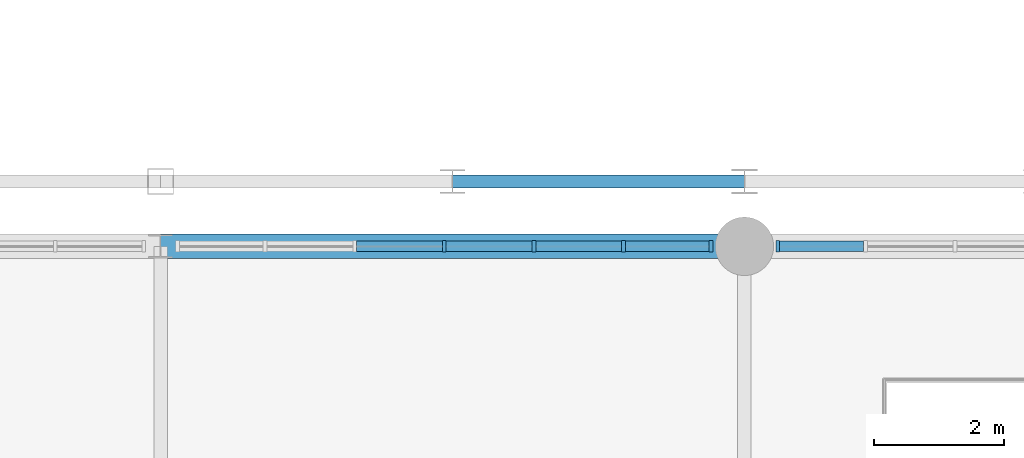
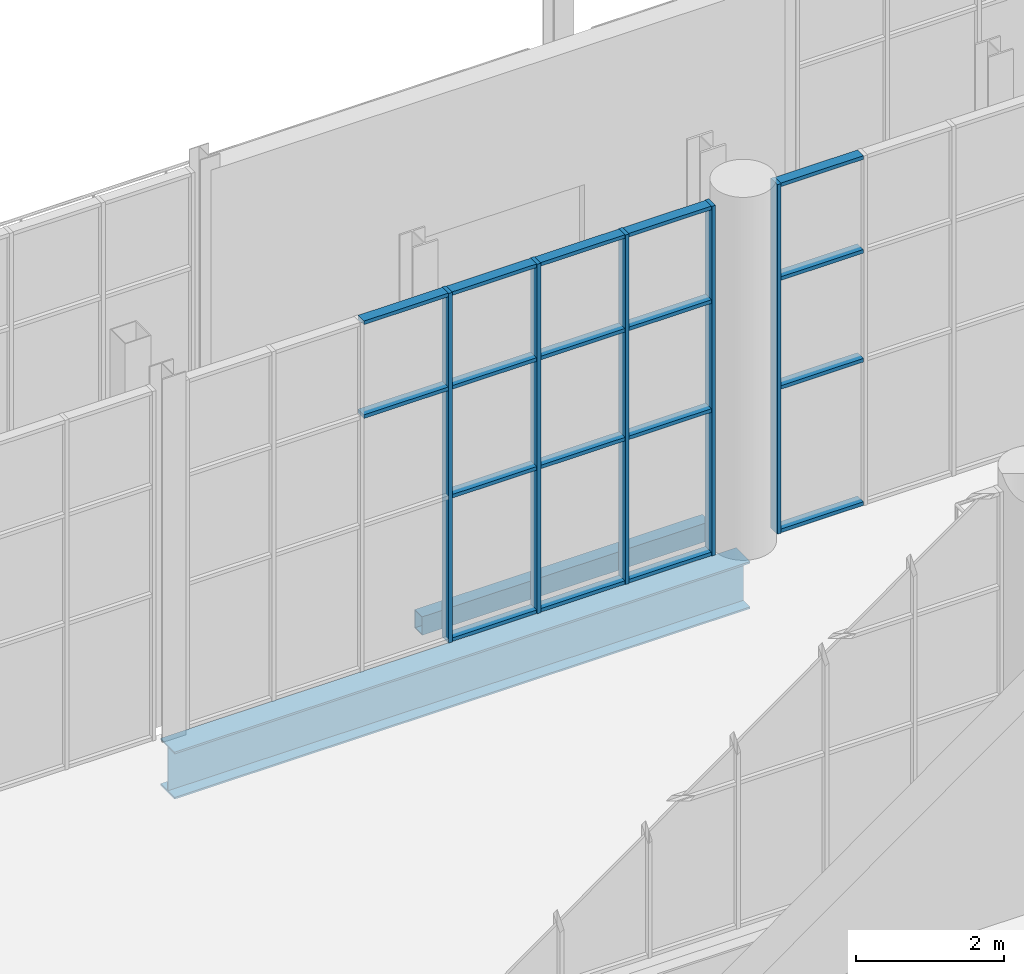
# One storey, part 46 of 159: 23 members, 2 beams, 2 elements without a shape of their own.
"""IFC4 building model written with IfcOpenShell, lengths in metres."""

from ifc_helpers import new_model, si_unit, direction, frame, origin, origin_2d, place, context, subcontext, project, spatial, rectangle, hollow_rectangle, i_section, extrude, material, layer, layer_set, material_profile, profile_set, type_object, element, aggregate, save


model = new_model("IFC4")

# Units and contexts
model_context = context("Model", 3, precision=1e-05, world=origin(), true_north=direction((0.0, 1.0)))
body_context = subcontext(model_context, "Body", "Model", "MODEL_VIEW")
ifc_project = project(units=[si_unit("LENGTHUNIT", "METRE"), si_unit("AREAUNIT", "SQUARE_METRE"), si_unit("VOLUMEUNIT", "CUBIC_METRE"), si_unit("PLANEANGLEUNIT", "RADIAN"), si_unit("MASSUNIT", "GRAM", prefix="KILO")], contexts=[model_context])

# Site, building, storey
site_placement = place(None, origin())
site = spatial("IfcSite", under=ifc_project, at=site_placement, CompositionType="ELEMENT")
building_placement = place(site_placement, origin())
building = spatial("IfcBuilding", under=site, at=building_placement, Name="Cazmaro Siding Exhibition Halls", CompositionType="ELEMENT")
storey_placement = place(building_placement, frame((0.0, 0.0, 6.0)))
storey = spatial("IfcBuildingStorey", under=building, at=storey_placement, Name="L01", CompositionType="ELEMENT", Elevation=6.0)

# Curtain wall, members
ifc_material_1 = material(Name="Anodized Bronze Aluminum and Solar-Control Low-E Glazing", Category="aluminium")
ifc_layer = layer(ifc_material_1, 0.179931640625)
ifc_layer_set = layer_set([ifc_layer], Name="Anodized Bronze Aluminum and Solar-Control Low-E Glazing")
curtain_wall_type = type_object("IfcCurtainWallType", Name="CWS-01", PredefinedType="USERDEFINED", material=ifc_layer_set)
curtain_wall_1_placement = place(storey_placement, origin())
curtain_wall_1 = element("IfcCurtainWall", 1, at=curtain_wall_1_placement, inside=storey, type_object=curtain_wall_type, Name="Glazed Curtain Wall CWS-01 CW-188", ObjectType="GLAZED CURTAIN WALL", PredefinedType="USERDEFINED")
ifc_material_2 = material(Name="Anodized Bronze Extruded Aluminum", Category="aluminium")
ifc_material_profile_1 = material_profile(ifc_material_2, rectangle(XDim=0.179931640625, YDim=0.06005859375, at=origin_2d()), Name="CWM-01")
ifc_profile_set_1 = profile_set([ifc_material_profile_1], Name="Anodized Bronze Extruded Aluminum")
member_type_1 = type_object("IfcMemberType", Name="CWM-01", PredefinedType="MULLION", material=ifc_profile_set_1)
member_1_placement = place(storey_placement, frame((125.487060546875, 63.0, 0.0), z_axis=(0.0, 0.0, 1.0), x_axis=(0.0, -1.0, 0.0)))
member_1 = element("IfcMember", 2, at=member_1_placement, type_object=member_type_1, Name="CWS-01 mullion 1", PredefinedType="MULLION", context=body_context, shape_type="SweptSolid", body=[
    extrude(rectangle(XDim=0.179931640625, YDim=0.06005859375, at=origin_2d()), origin(), (0.0, 0.0, 1.0), 5.780029296875),
])
member_2_placement = place(storey_placement, frame((124.1357421875, 63.0, 0.0), z_axis=(0.0, 0.0, 1.0), x_axis=(0.0, -1.0, 0.0)))
member_2 = element("IfcMember", 3, at=member_2_placement, type_object=member_type_1, Name="CWS-01 mullion 2", PredefinedType="MULLION", context=body_context, shape_type="SweptSolid", body=[
    extrude(rectangle(XDim=0.179931640625, YDim=0.06005859375, at=origin_2d()), origin(), (0.0, 0.0, 1.0), 5.780029296875),
])
member_3_placement = place(storey_placement, frame((122.754638671875, 63.0, 0.0), z_axis=(0.0, 0.0, 1.0), x_axis=(0.0, -1.0, 0.0)))
member_3 = element("IfcMember", 4, at=member_3_placement, type_object=member_type_1, Name="CWS-01 mullion 3", PredefinedType="MULLION", context=body_context, shape_type="SweptSolid", body=[
    extrude(rectangle(XDim=0.179931640625, YDim=0.06005859375, at=origin_2d()), origin(), (0.0, 0.0, 1.0), 5.780029296875),
])
member_4_placement = place(storey_placement, frame((121.37353515625, 63.0, 0.0), z_axis=(0.0, 0.0, 1.0), x_axis=(0.0, -1.0, 0.0)))
member_4 = element("IfcMember", 5, at=member_4_placement, type_object=member_type_1, Name="CWS-01 mullion 4", PredefinedType="MULLION", context=body_context, shape_type="SweptSolid", body=[
    extrude(rectangle(XDim=0.179931640625, YDim=0.06005859375, at=origin_2d()), origin(), (0.0, 0.0, 1.0), 5.780029296875),
])

# Curtain wall, member
curtain_wall_2_placement = place(storey_placement, origin())
curtain_wall_2 = element("IfcCurtainWall", 6, at=curtain_wall_2_placement, inside=storey, type_object=curtain_wall_type, Name="Glazed Curtain Wall CWS-01 CW-194", ObjectType="GLAZED CURTAIN WALL", PredefinedType="USERDEFINED")
member_5_placement = place(storey_placement, frame((126.512939453125, 63.0, 0.0), z_axis=(0.0, 0.0, 1.0), x_axis=(0.0, -1.0, 0.0)))
member_5 = element("IfcMember", 7, at=member_5_placement, type_object=member_type_1, Name="CWS-01 mullion 7", PredefinedType="MULLION", context=body_context, shape_type="SweptSolid", body=[
    extrude(rectangle(XDim=0.179931640625, YDim=0.06005859375, at=origin_2d()), origin(), (0.0, 0.0, 1.0), 5.780029296875),
])

# Member
ifc_material_3 = material(Name="Anodized Bronze Extruded Aluminum", Category="aluminium")
ifc_material_profile_2 = material_profile(ifc_material_3, rectangle(XDim=0.159912109375, YDim=0.06005859375, at=origin_2d()), Name="CWT-01")
ifc_profile_set_2 = profile_set([ifc_material_profile_2], Name="Anodized Bronze Extruded Aluminum")
member_type_2 = type_object("IfcMemberType", Name="CWT-01", PredefinedType="MULLION", material=ifc_profile_set_2)
member_6_placement = place(storey_placement, frame((125.45703125, 63.0, 0.030029296875), z_axis=(-1.0, 0.0, 0.0), x_axis=(0.0, -1.0, 0.0)))
member_6 = element("IfcMember", 8, at=member_6_placement, type_object=member_type_2, Name="CWS-01 transom 1.1", ObjectType="TRANSOM", PredefinedType="USERDEFINED", context=body_context, shape_type="SweptSolid", body=[
    extrude(rectangle(XDim=0.159912109375, YDim=0.06005859375, at=origin_2d()), origin(), (0.0, 0.0, 1.0), 1.291259765625),
])

member_7_placement = place(storey_placement, frame((125.45703125, 63.0, 2.39990234375), z_axis=(-1.0, 0.0, 0.0), x_axis=(0.0, -1.0, 0.0)))
member_7 = element("IfcMember", 9, at=member_7_placement, type_object=member_type_2, Name="CWS-01 transom 1.2", ObjectType="TRANSOM", PredefinedType="USERDEFINED", context=body_context, shape_type="SweptSolid", body=[
    extrude(rectangle(XDim=0.159912109375, YDim=0.06005859375, at=origin_2d()), origin(), (0.0, 0.0, 1.0), 1.291259765625),
])

member_8_placement = place(storey_placement, frame((125.45703125, 63.0, 4.199951171875), z_axis=(-1.0, 0.0, 0.0), x_axis=(0.0, -1.0, 0.0)))
member_8 = element("IfcMember", 10, at=member_8_placement, type_object=member_type_2, Name="CWS-01 transom 1.3", ObjectType="TRANSOM", PredefinedType="USERDEFINED", context=body_context, shape_type="SweptSolid", body=[
    extrude(rectangle(XDim=0.159912109375, YDim=0.06005859375, at=origin_2d()), origin(), (0.0, 0.0, 1.0), 1.291259765625),
])

member_9_placement = place(storey_placement, frame((125.45703125, 63.0, 5.75), z_axis=(-1.0, 0.0, 0.0), x_axis=(0.0, -1.0, 0.0)))
member_9 = element("IfcMember", 11, at=member_9_placement, type_object=member_type_2, Name="CWS-01 transom 1.4", ObjectType="TRANSOM", PredefinedType="USERDEFINED", context=body_context, shape_type="SweptSolid", body=[
    extrude(rectangle(XDim=0.159912109375, YDim=0.06005859375, at=origin_2d()), origin(), (0.0, 0.0, 1.0), 1.291259765625),
])

member_10_placement = place(storey_placement, frame((124.105712890625, 63.0, 0.030029296875), z_axis=(-1.0, 0.0, 0.0), x_axis=(0.0, -1.0, 0.0)))
member_10 = element("IfcMember", 12, at=member_10_placement, type_object=member_type_2, Name="CWS-01 transom 2.1", ObjectType="TRANSOM", PredefinedType="USERDEFINED", context=body_context, shape_type="SweptSolid", body=[
    extrude(rectangle(XDim=0.159912109375, YDim=0.06005859375, at=origin_2d()), origin(), (0.0, 0.0, 1.0), 1.321044921875),
])

member_11_placement = place(storey_placement, frame((124.105712890625, 63.0, 2.39990234375), z_axis=(-1.0, 0.0, 0.0), x_axis=(0.0, -1.0, 0.0)))
member_11 = element("IfcMember", 13, at=member_11_placement, type_object=member_type_2, Name="CWS-01 transom 2.2", ObjectType="TRANSOM", PredefinedType="USERDEFINED", context=body_context, shape_type="SweptSolid", body=[
    extrude(rectangle(XDim=0.159912109375, YDim=0.06005859375, at=origin_2d()), origin(), (0.0, 0.0, 1.0), 1.321044921875),
])

member_12_placement = place(storey_placement, frame((124.105712890625, 63.0, 4.199951171875), z_axis=(-1.0, 0.0, 0.0), x_axis=(0.0, -1.0, 0.0)))
member_12 = element("IfcMember", 14, at=member_12_placement, type_object=member_type_2, Name="CWS-01 transom 2.3", ObjectType="TRANSOM", PredefinedType="USERDEFINED", context=body_context, shape_type="SweptSolid", body=[
    extrude(rectangle(XDim=0.159912109375, YDim=0.06005859375, at=origin_2d()), origin(), (0.0, 0.0, 1.0), 1.321044921875),
])

member_13_placement = place(storey_placement, frame((124.105712890625, 63.0, 5.75), z_axis=(-1.0, 0.0, 0.0), x_axis=(0.0, -1.0, 0.0)))
member_13 = element("IfcMember", 15, at=member_13_placement, type_object=member_type_2, Name="CWS-01 transom 2.4", ObjectType="TRANSOM", PredefinedType="USERDEFINED", context=body_context, shape_type="SweptSolid", body=[
    extrude(rectangle(XDim=0.159912109375, YDim=0.06005859375, at=origin_2d()), origin(), (0.0, 0.0, 1.0), 1.321044921875),
])

member_14_placement = place(storey_placement, frame((122.724609375, 63.0, 0.030029296875), z_axis=(-1.0, 0.0, 0.0), x_axis=(0.0, -1.0, 0.0)))
member_14 = element("IfcMember", 16, at=member_14_placement, type_object=member_type_2, Name="CWS-01 transom 3.1", ObjectType="TRANSOM", PredefinedType="USERDEFINED", context=body_context, shape_type="SweptSolid", body=[
    extrude(rectangle(XDim=0.159912109375, YDim=0.06005859375, at=origin_2d()), origin(), (0.0, 0.0, 1.0), 1.321044921875),
])

member_15_placement = place(storey_placement, frame((122.724609375, 63.0, 2.39990234375), z_axis=(-1.0, 0.0, 0.0), x_axis=(0.0, -1.0, 0.0)))
member_15 = element("IfcMember", 17, at=member_15_placement, type_object=member_type_2, Name="CWS-01 transom 3.2", ObjectType="TRANSOM", PredefinedType="USERDEFINED", context=body_context, shape_type="SweptSolid", body=[
    extrude(rectangle(XDim=0.159912109375, YDim=0.06005859375, at=origin_2d()), origin(), (0.0, 0.0, 1.0), 1.321044921875),
])

member_16_placement = place(storey_placement, frame((122.724609375, 63.0, 4.199951171875), z_axis=(-1.0, 0.0, 0.0), x_axis=(0.0, -1.0, 0.0)))
member_16 = element("IfcMember", 18, at=member_16_placement, type_object=member_type_2, Name="CWS-01 transom 3.3", ObjectType="TRANSOM", PredefinedType="USERDEFINED", context=body_context, shape_type="SweptSolid", body=[
    extrude(rectangle(XDim=0.159912109375, YDim=0.06005859375, at=origin_2d()), origin(), (0.0, 0.0, 1.0), 1.321044921875),
])

member_17_placement = place(storey_placement, frame((122.724609375, 63.0, 5.75), z_axis=(-1.0, 0.0, 0.0), x_axis=(0.0, -1.0, 0.0)))
member_17 = element("IfcMember", 19, at=member_17_placement, type_object=member_type_2, Name="CWS-01 transom 3.4", ObjectType="TRANSOM", PredefinedType="USERDEFINED", context=body_context, shape_type="SweptSolid", body=[
    extrude(rectangle(XDim=0.159912109375, YDim=0.06005859375, at=origin_2d()), origin(), (0.0, 0.0, 1.0), 1.321044921875),
])

member_18_placement = place(storey_placement, frame((121.343505859375, 63.0, 4.199951171875), z_axis=(-1.0, 0.0, 0.0), x_axis=(0.0, -1.0, 0.0)))
member_18 = element("IfcMember", 20, at=member_18_placement, type_object=member_type_2, Name="CWS-01 transom 4.3", ObjectType="TRANSOM", PredefinedType="USERDEFINED", context=body_context, shape_type="SweptSolid", body=[
    extrude(rectangle(XDim=0.159912109375, YDim=0.06005859375, at=origin_2d()), origin(), (0.0, 0.0, 1.0), 1.3212890625),
])

member_19_placement = place(storey_placement, frame((121.343505859375, 63.0, 5.75), z_axis=(-1.0, 0.0, 0.0), x_axis=(0.0, -1.0, 0.0)))
member_19 = element("IfcMember", 21, at=member_19_placement, type_object=member_type_2, Name="CWS-01 transom 4.4", ObjectType="TRANSOM", PredefinedType="USERDEFINED", context=body_context, shape_type="SweptSolid", body=[
    extrude(rectangle(XDim=0.159912109375, YDim=0.06005859375, at=origin_2d()), origin(), (0.0, 0.0, 1.0), 1.3212890625),
])

aggregate(curtain_wall_1, [member_1, member_2, member_3, member_4, member_6, member_7, member_8, member_9, member_10, member_11, member_12, member_13, member_14, member_15, member_16, member_17, member_18, member_19])

member_20_placement = place(storey_placement, frame((127.834228515625, 63.0, 0.030029296875), z_axis=(-1.0, 0.0, 0.0), x_axis=(0.0, -1.0, 0.0)))
member_20 = element("IfcMember", 22, at=member_20_placement, type_object=member_type_2, Name="CWS-01 transom 6.1", ObjectType="TRANSOM", PredefinedType="USERDEFINED", context=body_context, shape_type="SweptSolid", body=[
    extrude(rectangle(XDim=0.159912109375, YDim=0.06005859375, at=origin_2d()), origin(), (0.0, 0.0, 1.0), 1.291259765625),
])

member_21_placement = place(storey_placement, frame((127.834228515625, 63.0, 2.39990234375), z_axis=(-1.0, 0.0, 0.0), x_axis=(0.0, -1.0, 0.0)))
member_21 = element("IfcMember", 23, at=member_21_placement, type_object=member_type_2, Name="CWS-01 transom 6.2", ObjectType="TRANSOM", PredefinedType="USERDEFINED", context=body_context, shape_type="SweptSolid", body=[
    extrude(rectangle(XDim=0.159912109375, YDim=0.06005859375, at=origin_2d()), origin(), (0.0, 0.0, 1.0), 1.291259765625),
])

member_22_placement = place(storey_placement, frame((127.834228515625, 63.0, 4.199951171875), z_axis=(-1.0, 0.0, 0.0), x_axis=(0.0, -1.0, 0.0)))
member_22 = element("IfcMember", 24, at=member_22_placement, type_object=member_type_2, Name="CWS-01 transom 6.3", ObjectType="TRANSOM", PredefinedType="USERDEFINED", context=body_context, shape_type="SweptSolid", body=[
    extrude(rectangle(XDim=0.159912109375, YDim=0.06005859375, at=origin_2d()), origin(), (0.0, 0.0, 1.0), 1.291259765625),
])

member_23_placement = place(storey_placement, frame((127.834228515625, 63.0, 5.75), z_axis=(-1.0, 0.0, 0.0), x_axis=(0.0, -1.0, 0.0)))
member_23 = element("IfcMember", 25, at=member_23_placement, type_object=member_type_2, Name="CWS-01 transom 6.4", ObjectType="TRANSOM", PredefinedType="USERDEFINED", context=body_context, shape_type="SweptSolid", body=[
    extrude(rectangle(XDim=0.159912109375, YDim=0.06005859375, at=origin_2d()), origin(), (0.0, 0.0, 1.0), 1.291259765625),
])

aggregate(curtain_wall_2, [member_5, member_20, member_21, member_22, member_23])

# Beams
ifc_material_4 = material(Name="Steel ASTM A992 Grade 50", Category="steel")
ifc_material_profile_3 = material_profile(ifc_material_4, i_section(OverallWidth=0.381103515625, OverallDepth=0.779052734375, WebThickness=0.01806640625, FlangeThickness=0.030029296875, at=origin_2d()), Name="W30X191")
ifc_profile_set_3 = profile_set([ifc_material_profile_3], Name="Steel ASTM A992 Grade 50")
beam_type_1 = type_object("IfcBeamType", Name="G-04", PredefinedType="USERDEFINED", material=ifc_profile_set_3)
beam_1_placement = place(storey_placement, frame((117.0, 63.0, -0.60888671875), z_axis=(1.0, 0.0, 0.0), x_axis=(0.0, 1.0, 0.0)))
element("IfcBeam", 26, at=beam_1_placement, inside=storey, type_object=beam_type_1, Name="Beam G-04 BM-1645", ObjectType="GIRDER", PredefinedType="USERDEFINED", context=body_context, shape_type="SweptSolid", body=[
    extrude(i_section(OverallWidth=0.381103515625, OverallDepth=0.779052734375, WebThickness=0.01806640625, FlangeThickness=0.030029296875, at=origin_2d()), origin(), (0.0, 0.0, 1.0), 9.0),
])
ifc_material_5 = material(Name="Steel ASTM A500 Grade C", Category="steel")
ifc_material_profile_4 = material_profile(ifc_material_5, hollow_rectangle(XDim=0.202880859375, YDim=0.304931640625, WallThickness=0.011962890625, at=origin_2d()), Name="HSS12X8X1/2")
ifc_profile_set_4 = profile_set([ifc_material_profile_4], Name="Steel ASTM A500 Grade C")
beam_type_2 = type_object("IfcBeamType", Name="SP-01", PredefinedType="SPANDREL", material=ifc_profile_set_4)
beam_2_placement = place(storey_placement, frame((121.5, 64.0, -0.3720703125), z_axis=(1.0, 0.0, 0.0), x_axis=(0.0, 1.0, 0.0)))
element("IfcBeam", 27, at=beam_2_placement, inside=storey, type_object=beam_type_2, Name="Beam SP-01 BM-0163", PredefinedType="SPANDREL", context=body_context, shape_type="SweptSolid", body=[
    extrude(hollow_rectangle(XDim=0.202880859375, YDim=0.304931640625, WallThickness=0.011962890625, at=origin_2d()), origin(), (0.0, 0.0, 1.0), 4.5),
])

save(model, "model.ifc")
